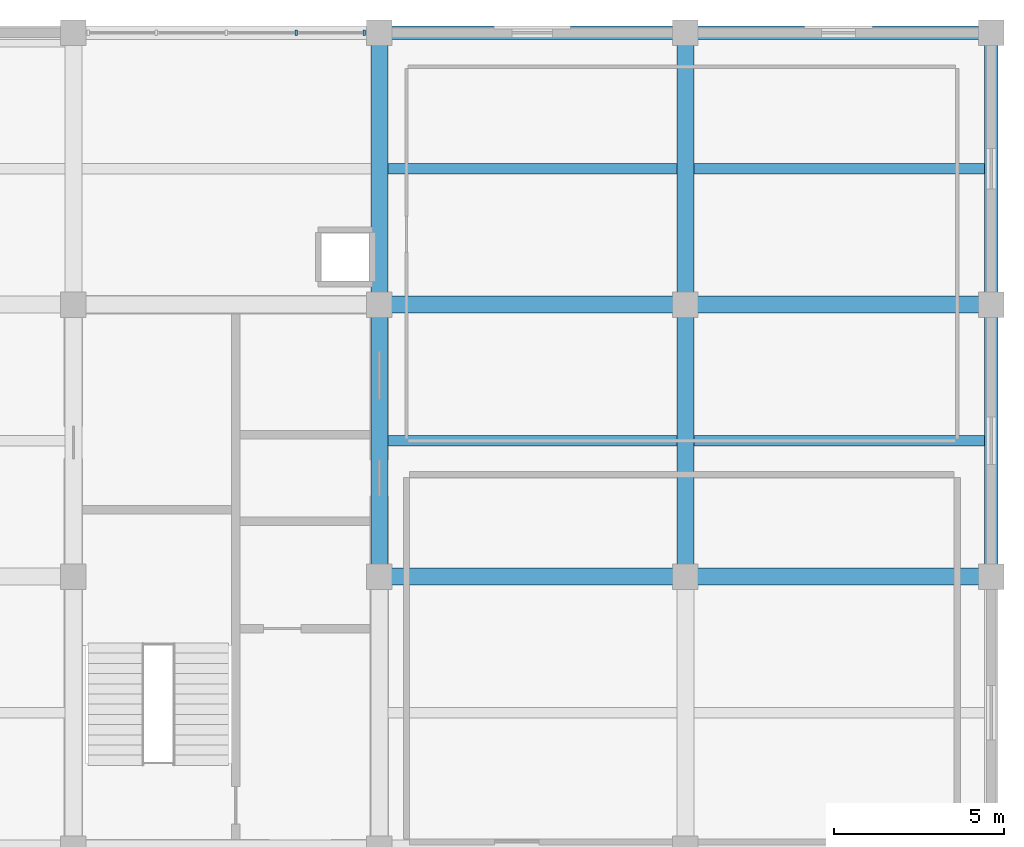
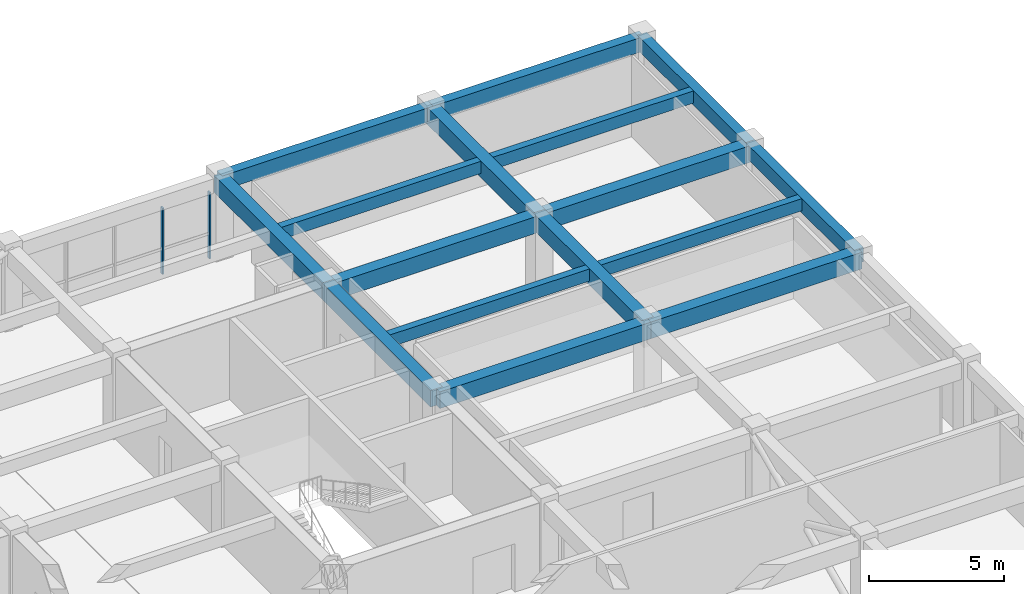
# One storey, part 9 of 15: 16 beams, 2 members, 1 element without a shape of its own.
"""IFC4 building model written with IfcOpenShell, lengths in metres."""

from ifc_helpers import new_model, si_unit, direction, frame, origin, origin_2d, place, context, subcontext, project, spatial, rectangle, extrude, material, material_profile, profile_set, type_object, element, aggregate, save


model = new_model("IFC4")

# Units and contexts
model_context = context("Model", 3, precision=1e-05, world=origin(), true_north=direction((0.0, 1.0)))
body_context = subcontext(model_context, "Body", "Model", "MODEL_VIEW")
ifc_project = project(units=[si_unit("LENGTHUNIT", "METRE"), si_unit("AREAUNIT", "SQUARE_METRE"), si_unit("VOLUMEUNIT", "CUBIC_METRE"), si_unit("PLANEANGLEUNIT", "RADIAN"), si_unit("MASSUNIT", "GRAM", prefix="KILO")], contexts=[model_context])

# Site, building, storey
site_placement = place(None, origin())
site = spatial("IfcSite", under=ifc_project, at=site_placement, CompositionType="ELEMENT")
building_placement = place(site_placement, origin())
building = spatial("IfcBuilding", under=site, at=building_placement, Name="Zaverband Oceanarium and Marine Research Institute", CompositionType="ELEMENT")
storey_placement = place(building_placement, frame((0.0, 0.0, 53.10009765625)))
storey = spatial("IfcBuildingStorey", under=building, at=storey_placement, Name="L13", CompositionType="ELEMENT", Elevation=53.10009765625)

# Beams
ifc_material_1 = material(Name="Concrete C40/50", Category="concrete")
ifc_material_profile_1 = material_profile(ifc_material_1, rectangle(XDim=0.5, YDim=0.75, at=origin_2d()), Name="RC500x750")
ifc_profile_set_1 = profile_set([ifc_material_profile_1], Name="Concrete C40/50")
beam_type_1 = type_object("IfcBeamType", Name="BM-500x750", PredefinedType="BEAM", material=ifc_profile_set_1)
for number, where, z_axis, x_axis, name in (
    (1, (45.0, 96.0, 3.27490234375), (1.0, 0.0, 0.0), (0.0, 1.0, 0.0), "Primary floor girder BM-500x750"),
    (2, (54.0, 96.0, 3.27490234375), (1.0, 0.0, 0.0), (0.0, 1.0, 0.0), "Primary floor girder BM-500x750"),
    (3, (45.0, 104.0, 3.27490234375), (1.0, 0.0, 0.0), (0.0, 1.0, 0.0), "Primary floor girder BM-500x750"),
    (4, (54.0, 104.0, 3.27490234375), (1.0, 0.0, 0.0), (0.0, 1.0, 0.0), "Primary floor girder BM-500x750"),
):
    element("IfcBeam", number, at=place(storey_placement, frame(where, z_axis=z_axis, x_axis=x_axis)), inside=storey, type_object=beam_type_1, Name=name, PredefinedType="BEAM", context=body_context, shape_type="SweptSolid", body=[
        extrude(rectangle(XDim=0.5, YDim=0.75, at=origin_2d()), origin(), (0.0, 0.0, 1.0), 9.0),
    ])
for number, where, z_axis, x_axis, name in (
    (5, (45.0, 96.0, 3.27490234375), (0.0, 1.0, 0.0), (-1.0, 0.0, 0.0), "Primary floor girder BM-500x750"),
    (6, (45.0, 104.0, 3.27490234375), (0.0, 1.0, 0.0), (-1.0, 0.0, 0.0), "Primary floor girder BM-500x750"),
    (7, (54.0, 96.0, 3.27490234375), (0.0, 1.0, 0.0), (-1.0, 0.0, 0.0), "Primary floor girder BM-500x750"),
    (8, (54.0, 104.0, 3.27490234375), (0.0, 1.0, 0.0), (-1.0, 0.0, 0.0), "Primary floor girder BM-500x750"),
):
    element("IfcBeam", number, at=place(storey_placement, frame(where, z_axis=z_axis, x_axis=x_axis)), inside=storey, type_object=beam_type_1, Name=name, PredefinedType="BEAM", context=body_context, shape_type="SweptSolid", body=[
        extrude(rectangle(XDim=0.5, YDim=0.75, at=origin_2d()), origin(), (0.0, 0.0, 1.0), 8.0),
    ])
ifc_material_profile_2 = material_profile(ifc_material_1, rectangle(XDim=0.300048828125, YDim=0.550048828125, at=origin_2d()), Name="RC300x550")
ifc_profile_set_2 = profile_set([ifc_material_profile_2], Name="Concrete C40/50")
beam_type_2 = type_object("IfcBeamType", Name="JST-300x550", PredefinedType="JOIST", material=ifc_profile_set_2)
for number, where, z_axis, x_axis, name in (
    (9, (45.25, 100.0, 3.375), (1.0, 0.0, 0.0), (0.0, 1.0, 0.0), "Secondary floor joist JST-300x550"),
    (10, (45.25, 108.0, 3.375), (1.0, 0.0, 0.0), (0.0, 1.0, 0.0), "Secondary floor joist JST-300x550"),
):
    element("IfcBeam", number, at=place(storey_placement, frame(where, z_axis=z_axis, x_axis=x_axis)), inside=storey, type_object=beam_type_2, Name=name, PredefinedType="JOIST", context=body_context, shape_type="SweptSolid", body=[
        extrude(rectangle(XDim=0.300048828125, YDim=0.550048828125, at=origin_2d()), origin(), (0.0, 0.0, 1.0), 8.5),
    ])
for number, where, z_axis, x_axis, name in (
    (11, (54.25, 100.0, 3.375), (1.0, 0.0, 0.0), (0.0, 1.0, 0.0), "Secondary floor joist JST-300x550"),
    (12, (54.25, 108.0, 3.375), (1.0, 0.0, 0.0), (0.0, 1.0, 0.0), "Secondary floor joist JST-300x550"),
):
    element("IfcBeam", number, at=place(storey_placement, frame(where, z_axis=z_axis, x_axis=x_axis)), inside=storey, type_object=beam_type_2, Name=name, PredefinedType="JOIST", context=body_context, shape_type="SweptSolid", body=[
        extrude(rectangle(XDim=0.300048828125, YDim=0.550048828125, at=origin_2d()), origin(), (0.0, 0.0, 1.0), 8.550048828125),
    ])

# Curtain wall, members
ifc_material_2 = material(Name="Thermally broken anodized aluminium and solar-control glass", Category="aluminium")
curtain_wall_type = type_object("IfcCurtainWallType", Name="CW-UNIT-1800", PredefinedType="NOTDEFINED", material=ifc_material_2)
curtain_wall_placement = place(storey_placement, origin())
curtain_wall = element("IfcCurtainWall", 13, at=curtain_wall_placement, inside=storey, type_object=curtain_wall_type, Name="Unitised glazed curtain wall CW-144", PredefinedType="NOTDEFINED")
ifc_material_3 = material(Name="Thermally broken anodized aluminium", Category="aluminium")
ifc_material_profile_3 = material_profile(ifc_material_3, rectangle(XDim=0.070068359375, YDim=0.14990234375, at=origin_2d()), Name="AL-MUL-70x150")
ifc_profile_set_3 = profile_set([ifc_material_profile_3], Name="Thermally broken anodized aluminium")
member_type = type_object("IfcMemberType", Name="MUL-70x150", PredefinedType="MULLION", material=ifc_profile_set_3)
member_1_placement = place(storey_placement, frame((42.56005859375, 112.0, 0.0), z_axis=(0.0, 0.0, 1.0), x_axis=(1.0, 0.0, 0.0)))
member_1 = element("IfcMember", 14, at=member_1_placement, type_object=member_type, Name="Curtain wall vertical mullion MUL-70x150", PredefinedType="MULLION", context=body_context, shape_type="SweptSolid", body=[
    extrude(rectangle(XDim=0.070068359375, YDim=0.14990234375, at=origin_2d()), origin(), (0.0, 0.0, 1.0), 2.97998046875),
])
member_2_placement = place(storey_placement, frame((44.56005859375, 112.0, 0.0), z_axis=(0.0, 0.0, 1.0), x_axis=(1.0, 0.0, 0.0)))
member_2 = element("IfcMember", 15, at=member_2_placement, type_object=member_type, Name="Curtain wall vertical mullion MUL-70x150", PredefinedType="MULLION", context=body_context, shape_type="SweptSolid", body=[
    extrude(rectangle(XDim=0.070068359375, YDim=0.14990234375, at=origin_2d()), origin(), (0.0, 0.0, 1.0), 2.97998046875),
])
aggregate(curtain_wall, [member_1, member_2])

# Beams
ifc_material_profile_4 = material_profile(ifc_material_1, rectangle(XDim=0.39990234375, YDim=0.64990234375, at=origin_2d()), Name="RC400x650")
ifc_profile_set_4 = profile_set([ifc_material_profile_4], Name="Concrete C40/50")
beam_type_3 = type_object("IfcBeamType", Name="SPN-400x650", PredefinedType="SPANDREL", material=ifc_profile_set_4)
for number, where, z_axis, x_axis, name in (
    (16, (45.0, 112.0, 3.324951171875), (1.0, 0.0, 0.0), (0.0, 1.0, 0.0), "Perimeter spandrel beam SPN-400x650"),
    (17, (54.0, 112.0, 3.324951171875), (1.0, 0.0, 0.0), (0.0, 1.0, 0.0), "Perimeter spandrel beam SPN-400x650"),
):
    element("IfcBeam", number, at=place(storey_placement, frame(where, z_axis=z_axis, x_axis=x_axis)), inside=storey, type_object=beam_type_3, Name=name, PredefinedType="SPANDREL", context=body_context, shape_type="SweptSolid", body=[
        extrude(rectangle(XDim=0.39990234375, YDim=0.64990234375, at=origin_2d()), origin(), (0.0, 0.0, 1.0), 9.0),
    ])
for number, where, z_axis, x_axis, name in (
    (18, (63.0, 96.0, 3.324951171875), (0.0, 1.0, 0.0), (-1.0, 0.0, 0.0), "Perimeter spandrel beam SPN-400x650"),
    (19, (63.0, 104.0, 3.324951171875), (0.0, 1.0, 0.0), (-1.0, 0.0, 0.0), "Perimeter spandrel beam SPN-400x650"),
):
    element("IfcBeam", number, at=place(storey_placement, frame(where, z_axis=z_axis, x_axis=x_axis)), inside=storey, type_object=beam_type_3, Name=name, PredefinedType="SPANDREL", context=body_context, shape_type="SweptSolid", body=[
        extrude(rectangle(XDim=0.39990234375, YDim=0.64990234375, at=origin_2d()), origin(), (0.0, 0.0, 1.0), 8.0),
    ])

save(model, "model.ifc")
